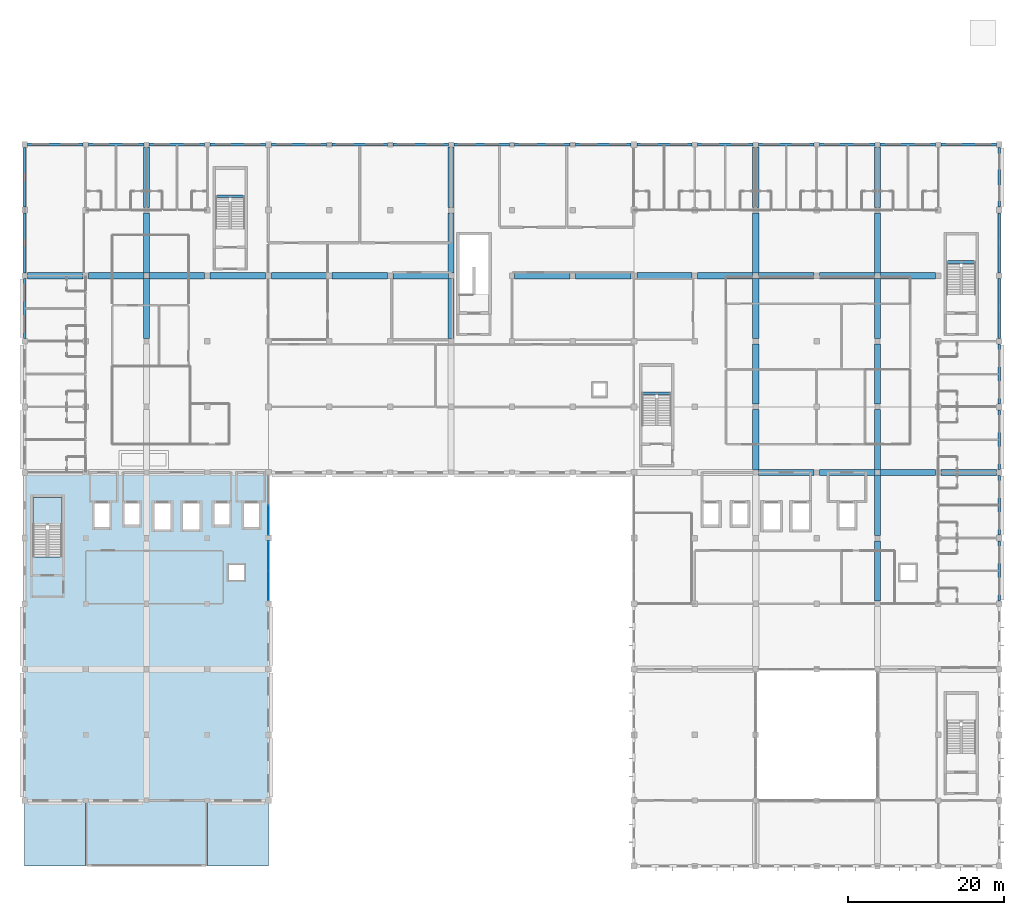
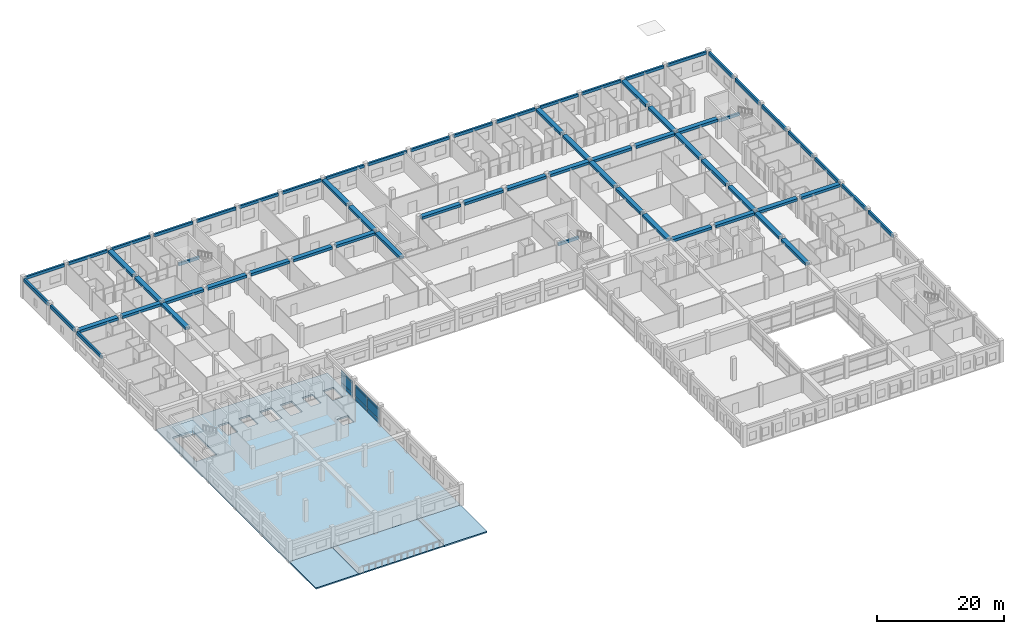
# One storey, part 24 of 53: 65 beams, 9 plates, 5 slabs, 3 elements without a shape of their own.
"""IFC4 building model written with IfcOpenShell, lengths in metres."""

from ifc_helpers import new_model, si_unit, direction, frame, origin, origin_2d, place, context, subcontext, project, spatial, polyline, rectangle, outline, extrude, material, layer, layer_set, material_profile, profile_set, type_object, element, aggregate, save


model = new_model("IFC4")

# Units and contexts
model_context = context("Model", 3, precision=1e-05, world=origin(), true_north=direction((0.0, 1.0)))
body_context = subcontext(model_context, "Body", "Model", "MODEL_VIEW")
ifc_project = project(units=[si_unit("LENGTHUNIT", "METRE"), si_unit("AREAUNIT", "SQUARE_METRE"), si_unit("VOLUMEUNIT", "CUBIC_METRE"), si_unit("PLANEANGLEUNIT", "RADIAN"), si_unit("MASSUNIT", "GRAM", prefix="KILO"), si_unit("THERMODYNAMICTEMPERATUREUNIT", "KELVIN"), si_unit("POWERUNIT", "WATT")], contexts=[model_context])

# Site, building, storey
site_placement = place(None, origin())
site = spatial("IfcSite", under=ifc_project, at=site_placement, CompositionType="ELEMENT")
building_placement = place(site_placement, origin())
building = spatial("IfcBuilding", under=site, at=building_placement, Name="Srebrne Nadtorze General Hospital", CompositionType="ELEMENT")
storey_placement = place(building_placement, frame((0.0, 0.0, 18.0)))
storey = spatial("IfcBuildingStorey", under=building, at=storey_placement, Name="L04", CompositionType="ELEMENT", Elevation=18.0)

# Beams
ifc_material_1 = material(Name="Concrete C35/45", Category="concrete")
ifc_material_profile_1 = material_profile(ifc_material_1, rectangle(XDim=0.35009765625, YDim=0.64990234375, at=origin_2d()), Name="RC-BM-350x650")
ifc_profile_set_1 = profile_set([ifc_material_profile_1], Name="Concrete C35/45")
beam_type_1 = type_object("IfcBeamType", Name="Edge beam RC 350x650", PredefinedType="BEAM", material=ifc_profile_set_1)
beam_1_placement = place(storey_placement, frame((23.39990234375, 67.574951171875, 3.56005859375), z_axis=(0.0, 1.0, 0.0), x_axis=(-1.0, 0.0, 0.0)))
element("IfcBeam", 1, at=beam_1_placement, inside=storey, type_object=beam_type_1, Name="Beam BM-L04-Y-0934", PredefinedType="BEAM", context=body_context, shape_type="SweptSolid", body=[
    extrude(rectangle(XDim=0.35009765625, YDim=0.64990234375, at=origin_2d()), origin(), (0.0, 0.0, 1.0), 7.650146484375),
])
for number, where, z_axis, x_axis, name in (
    (2, (23.39990234375, 75.97509765625, 3.56005859375), (0.0, 1.0, 0.0), (-1.0, 0.0, 0.0), "Beam BM-L04-Y-0935"),
    (3, (23.39990234375, 84.375, 3.56005859375), (0.0, 1.0, 0.0), (-1.0, 0.0, 0.0), "Beam BM-L04-Y-0936"),
    (4, (148.199951171875, 33.97509765625, 3.56005859375), (0.0, 1.0, 0.0), (-1.0, 0.0, 0.0), "Beam BM-L04-Y-0989"),
    (5, (148.199951171875, 42.375, 3.56005859375), (0.0, 1.0, 0.0), (-1.0, 0.0, 0.0), "Beam BM-L04-Y-0990"),
):
    element("IfcBeam", number, at=place(storey_placement, frame(where, z_axis=z_axis, x_axis=x_axis)), inside=storey, type_object=beam_type_1, Name=name, PredefinedType="BEAM", context=body_context, shape_type="SweptSolid", body=[
        extrude(rectangle(XDim=0.35009765625, YDim=0.64990234375, at=origin_2d()), origin(), (0.0, 0.0, 1.0), 7.64990234375),
    ])
beam_2_placement = place(storey_placement, frame((148.199951171875, 50.77490234375, 3.56005859375), z_axis=(0.0, 1.0, 0.0), x_axis=(-1.0, 0.0, 0.0)))
element("IfcBeam", 6, at=beam_2_placement, inside=storey, type_object=beam_type_1, Name="Beam BM-L04-Y-0991", PredefinedType="BEAM", context=body_context, shape_type="SweptSolid", body=[
    extrude(rectangle(XDim=0.35009765625, YDim=0.64990234375, at=origin_2d()), origin(), (0.0, 0.0, 1.0), 7.650146484375),
])
beam_3_placement = place(storey_placement, frame((148.199951171875, 59.175048828125, 3.56005859375), z_axis=(0.0, 1.0, 0.0), x_axis=(-1.0, 0.0, 0.0)))
element("IfcBeam", 7, at=beam_3_placement, inside=storey, type_object=beam_type_1, Name="Beam BM-L04-Y-0992", PredefinedType="BEAM", context=body_context, shape_type="SweptSolid", body=[
    extrude(rectangle(XDim=0.35009765625, YDim=0.64990234375, at=origin_2d()), origin(), (0.0, 0.0, 1.0), 7.64990234375),
])
beam_4_placement = place(storey_placement, frame((148.199951171875, 67.574951171875, 3.56005859375), z_axis=(0.0, 1.0, 0.0), x_axis=(-1.0, 0.0, 0.0)))
element("IfcBeam", 8, at=beam_4_placement, inside=storey, type_object=beam_type_1, Name="Beam BM-L04-Y-0993", PredefinedType="BEAM", context=body_context, shape_type="SweptSolid", body=[
    extrude(rectangle(XDim=0.35009765625, YDim=0.64990234375, at=origin_2d()), origin(), (0.0, 0.0, 1.0), 7.650146484375),
])
for number, where, z_axis, x_axis, name in (
    (9, (148.199951171875, 75.97509765625, 3.56005859375), (0.0, 1.0, 0.0), (-1.0, 0.0, 0.0), "Beam BM-L04-Y-0994"),
    (10, (148.199951171875, 84.375, 3.56005859375), (0.0, 1.0, 0.0), (-1.0, 0.0, 0.0), "Beam BM-L04-Y-0995"),
):
    element("IfcBeam", number, at=place(storey_placement, frame(where, z_axis=z_axis, x_axis=x_axis)), inside=storey, type_object=beam_type_1, Name=name, PredefinedType="BEAM", context=body_context, shape_type="SweptSolid", body=[
        extrude(rectangle(XDim=0.35009765625, YDim=0.64990234375, at=origin_2d()), origin(), (0.0, 0.0, 1.0), 7.64990234375),
    ])
ifc_material_2 = material(Name="Concrete C40/50", Category="concrete")
ifc_material_profile_2 = material_profile(ifc_material_2, rectangle(XDim=0.800048828125, YDim=0.5, at=origin_2d()), Name="RC-BM-800x500")
ifc_profile_set_2 = profile_set([ifc_material_profile_2], Name="Concrete C40/50")
beam_type_2 = type_object("IfcBeamType", Name="Primary beam RC 800x500", PredefinedType="BEAM", material=ifc_profile_set_2)
beam_5_placement = place(storey_placement, frame((117.35009765625, 50.39990234375, 3.635009765625), z_axis=(1.0, 0.0, 0.0), x_axis=(0.0, 1.0, 0.0)))
element("IfcBeam", 11, at=beam_5_placement, inside=storey, type_object=beam_type_2, Name="Beam BM-L04-X-0893", PredefinedType="BEAM", context=body_context, shape_type="SweptSolid", body=[
    extrude(rectangle(XDim=0.800048828125, YDim=0.5, at=origin_2d()), origin(), (0.0, 0.0, 1.0), 7.099853515625),
])
for number, where, z_axis, x_axis, name in (
    (12, (125.14990234375, 50.39990234375, 3.635009765625), (1.0, 0.0, 0.0), (0.0, 1.0, 0.0), "Beam BM-L04-X-0894"),
    (13, (132.949951171875, 50.39990234375, 3.635009765625), (1.0, 0.0, 0.0), (0.0, 1.0, 0.0), "Beam BM-L04-X-0895"),
):
    element("IfcBeam", number, at=place(storey_placement, frame(where, z_axis=z_axis, x_axis=x_axis)), inside=storey, type_object=beam_type_2, Name=name, PredefinedType="BEAM", context=body_context, shape_type="SweptSolid", body=[
        extrude(rectangle(XDim=0.800048828125, YDim=0.5, at=origin_2d()), origin(), (0.0, 0.0, 1.0), 7.10009765625),
    ])
beam_6_placement = place(storey_placement, frame((140.75, 50.39990234375, 3.635009765625), z_axis=(1.0, 0.0, 0.0), x_axis=(0.0, 1.0, 0.0)))
element("IfcBeam", 14, at=beam_6_placement, inside=storey, type_object=beam_type_2, Name="Beam BM-L04-X-0896", PredefinedType="BEAM", context=body_context, shape_type="SweptSolid", body=[
    extrude(rectangle(XDim=0.800048828125, YDim=0.5, at=origin_2d()), origin(), (0.0, 0.0, 1.0), 7.074951171875),
])
beam_7_placement = place(storey_placement, frame((23.77490234375, 75.60009765625, 3.635009765625), z_axis=(1.0, 0.0, 0.0), x_axis=(0.0, 1.0, 0.0)))
element("IfcBeam", 15, at=beam_7_placement, inside=storey, type_object=beam_type_2, Name="Beam BM-L04-X-0897", PredefinedType="BEAM", context=body_context, shape_type="SweptSolid", body=[
    extrude(rectangle(XDim=0.800048828125, YDim=0.5, at=origin_2d()), origin(), (0.0, 0.0, 1.0), 7.0751953125),
])
for number, where, z_axis, x_axis, name in (
    (16, (31.550048828125, 75.60009765625, 3.635009765625), (1.0, 0.0, 0.0), (0.0, 1.0, 0.0), "Beam BM-L04-X-0898"),
    (17, (39.35009765625, 75.60009765625, 3.635009765625), (1.0, 0.0, 0.0), (0.0, 1.0, 0.0), "Beam BM-L04-X-0899"),
):
    element("IfcBeam", number, at=place(storey_placement, frame(where, z_axis=z_axis, x_axis=x_axis)), inside=storey, type_object=beam_type_2, Name=name, PredefinedType="BEAM", context=body_context, shape_type="SweptSolid", body=[
        extrude(rectangle(XDim=0.800048828125, YDim=0.5, at=origin_2d()), origin(), (0.0, 0.0, 1.0), 7.099853515625),
    ])
beam_8_placement = place(storey_placement, frame((47.14990234375, 75.60009765625, 3.635009765625), z_axis=(1.0, 0.0, 0.0), x_axis=(0.0, 1.0, 0.0)))
element("IfcBeam", 18, at=beam_8_placement, inside=storey, type_object=beam_type_2, Name="Beam BM-L04-X-0900", PredefinedType="BEAM", context=body_context, shape_type="SweptSolid", body=[
    extrude(rectangle(XDim=0.800048828125, YDim=0.5, at=origin_2d()), origin(), (0.0, 0.0, 1.0), 7.0751953125),
])
beam_9_placement = place(storey_placement, frame((54.97509765625, 75.60009765625, 3.635009765625), z_axis=(1.0, 0.0, 0.0), x_axis=(0.0, 1.0, 0.0)))
element("IfcBeam", 19, at=beam_9_placement, inside=storey, type_object=beam_type_2, Name="Beam BM-L04-X-0901", PredefinedType="BEAM", context=body_context, shape_type="SweptSolid", body=[
    extrude(rectangle(XDim=0.800048828125, YDim=0.5, at=origin_2d()), origin(), (0.0, 0.0, 1.0), 7.074951171875),
])
beam_10_placement = place(storey_placement, frame((62.75, 75.60009765625, 3.635009765625), z_axis=(1.0, 0.0, 0.0), x_axis=(0.0, 1.0, 0.0)))
element("IfcBeam", 20, at=beam_10_placement, inside=storey, type_object=beam_type_2, Name="Beam BM-L04-X-0902", PredefinedType="BEAM", context=body_context, shape_type="SweptSolid", body=[
    extrude(rectangle(XDim=0.800048828125, YDim=0.5, at=origin_2d()), origin(), (0.0, 0.0, 1.0), 7.10009765625),
])
beam_11_placement = place(storey_placement, frame((70.550048828125, 75.60009765625, 3.635009765625), z_axis=(1.0, 0.0, 0.0), x_axis=(0.0, 1.0, 0.0)))
element("IfcBeam", 21, at=beam_11_placement, inside=storey, type_object=beam_type_2, Name="Beam BM-L04-X-0903", PredefinedType="BEAM", context=body_context, shape_type="SweptSolid", body=[
    extrude(rectangle(XDim=0.800048828125, YDim=0.5, at=origin_2d()), origin(), (0.0, 0.0, 1.0), 7.099853515625),
])
beam_12_placement = place(storey_placement, frame((86.14990234375, 75.60009765625, 3.635009765625), z_axis=(1.0, 0.0, 0.0), x_axis=(0.0, 1.0, 0.0)))
element("IfcBeam", 22, at=beam_12_placement, inside=storey, type_object=beam_type_2, Name="Beam BM-L04-X-0904", PredefinedType="BEAM", context=body_context, shape_type="SweptSolid", body=[
    extrude(rectangle(XDim=0.800048828125, YDim=0.5, at=origin_2d()), origin(), (0.0, 0.0, 1.0), 7.10009765625),
])
beam_13_placement = place(storey_placement, frame((93.949951171875, 75.60009765625, 3.635009765625), z_axis=(1.0, 0.0, 0.0), x_axis=(0.0, 1.0, 0.0)))
element("IfcBeam", 23, at=beam_13_placement, inside=storey, type_object=beam_type_2, Name="Beam BM-L04-X-0905", PredefinedType="BEAM", context=body_context, shape_type="SweptSolid", body=[
    extrude(rectangle(XDim=0.800048828125, YDim=0.5, at=origin_2d()), origin(), (0.0, 0.0, 1.0), 7.074951171875),
])
beam_14_placement = place(storey_placement, frame((101.77490234375, 75.60009765625, 3.635009765625), z_axis=(1.0, 0.0, 0.0), x_axis=(0.0, 1.0, 0.0)))
element("IfcBeam", 24, at=beam_14_placement, inside=storey, type_object=beam_type_2, Name="Beam BM-L04-X-0906", PredefinedType="BEAM", context=body_context, shape_type="SweptSolid", body=[
    extrude(rectangle(XDim=0.800048828125, YDim=0.5, at=origin_2d()), origin(), (0.0, 0.0, 1.0), 7.0751953125),
])
for number, where, z_axis, x_axis, name in (
    (25, (109.550048828125, 75.60009765625, 3.635009765625), (1.0, 0.0, 0.0), (0.0, 1.0, 0.0), "Beam BM-L04-X-0907"),
    (26, (117.35009765625, 75.60009765625, 3.635009765625), (1.0, 0.0, 0.0), (0.0, 1.0, 0.0), "Beam BM-L04-X-0908"),
):
    element("IfcBeam", number, at=place(storey_placement, frame(where, z_axis=z_axis, x_axis=x_axis)), inside=storey, type_object=beam_type_2, Name=name, PredefinedType="BEAM", context=body_context, shape_type="SweptSolid", body=[
        extrude(rectangle(XDim=0.800048828125, YDim=0.5, at=origin_2d()), origin(), (0.0, 0.0, 1.0), 7.099853515625),
    ])
for number, where, z_axis, x_axis, name in (
    (27, (125.14990234375, 75.60009765625, 3.635009765625), (1.0, 0.0, 0.0), (0.0, 1.0, 0.0), "Beam BM-L04-X-0909"),
    (28, (132.949951171875, 75.60009765625, 3.635009765625), (1.0, 0.0, 0.0), (0.0, 1.0, 0.0), "Beam BM-L04-X-0910"),
):
    element("IfcBeam", number, at=place(storey_placement, frame(where, z_axis=z_axis, x_axis=x_axis)), inside=storey, type_object=beam_type_2, Name=name, PredefinedType="BEAM", context=body_context, shape_type="SweptSolid", body=[
        extrude(rectangle(XDim=0.800048828125, YDim=0.5, at=origin_2d()), origin(), (0.0, 0.0, 1.0), 7.10009765625),
    ])
for number, where, z_axis, x_axis, name in (
    (29, (39.0, 67.550048828125, 3.635009765625), (0.0, 1.0, 0.0), (-1.0, 0.0, 0.0), "Beam BM-L04-Y-0944"),
    (30, (39.0, 75.949951171875, 3.635009765625), (0.0, 1.0, 0.0), (-1.0, 0.0, 0.0), "Beam BM-L04-Y-0945"),
    (31, (39.0, 84.35009765625, 3.635009765625), (0.0, 1.0, 0.0), (-1.0, 0.0, 0.0), "Beam BM-L04-Y-0946"),
    (32, (78.0, 67.550048828125, 3.635009765625), (0.0, 1.0, 0.0), (-1.0, 0.0, 0.0), "Beam BM-L04-Y-0954"),
    (33, (78.0, 75.949951171875, 3.635009765625), (0.0, 1.0, 0.0), (-1.0, 0.0, 0.0), "Beam BM-L04-Y-0955"),
    (34, (78.0, 84.35009765625, 3.635009765625), (0.0, 1.0, 0.0), (-1.0, 0.0, 0.0), "Beam BM-L04-Y-0956"),
    (35, (117.0, 50.75, 3.635009765625), (0.0, 1.0, 0.0), (-1.0, 0.0, 0.0), "Beam BM-L04-Y-0969"),
):
    element("IfcBeam", number, at=place(storey_placement, frame(where, z_axis=z_axis, x_axis=x_axis)), inside=storey, type_object=beam_type_2, Name=name, PredefinedType="BEAM", context=body_context, shape_type="SweptSolid", body=[
        extrude(rectangle(XDim=0.800048828125, YDim=0.5, at=origin_2d()), origin(), (0.0, 0.0, 1.0), 7.699951171875),
    ])
beam_15_placement = place(storey_placement, frame((117.0, 59.14990234375, 3.635009765625), z_axis=(0.0, 1.0, 0.0), x_axis=(-1.0, 0.0, 0.0)))
element("IfcBeam", 36, at=beam_15_placement, inside=storey, type_object=beam_type_2, Name="Beam BM-L04-Y-0970", PredefinedType="BEAM", context=body_context, shape_type="SweptSolid", body=[
    extrude(rectangle(XDim=0.800048828125, YDim=0.5, at=origin_2d()), origin(), (0.0, 0.0, 1.0), 7.7001953125),
])
for number, where, z_axis, x_axis, name in (
    (37, (117.0, 67.550048828125, 3.635009765625), (0.0, 1.0, 0.0), (-1.0, 0.0, 0.0), "Beam BM-L04-Y-0971"),
    (38, (117.0, 75.949951171875, 3.635009765625), (0.0, 1.0, 0.0), (-1.0, 0.0, 0.0), "Beam BM-L04-Y-0972"),
    (39, (117.0, 84.35009765625, 3.635009765625), (0.0, 1.0, 0.0), (-1.0, 0.0, 0.0), "Beam BM-L04-Y-0973"),
    (40, (132.60009765625, 33.949951171875, 3.635009765625), (0.0, 1.0, 0.0), (-1.0, 0.0, 0.0), "Beam BM-L04-Y-0978"),
    (41, (132.60009765625, 42.35009765625, 3.635009765625), (0.0, 1.0, 0.0), (-1.0, 0.0, 0.0), "Beam BM-L04-Y-0979"),
    (42, (132.60009765625, 50.75, 3.635009765625), (0.0, 1.0, 0.0), (-1.0, 0.0, 0.0), "Beam BM-L04-Y-0980"),
):
    element("IfcBeam", number, at=place(storey_placement, frame(where, z_axis=z_axis, x_axis=x_axis)), inside=storey, type_object=beam_type_2, Name=name, PredefinedType="BEAM", context=body_context, shape_type="SweptSolid", body=[
        extrude(rectangle(XDim=0.800048828125, YDim=0.5, at=origin_2d()), origin(), (0.0, 0.0, 1.0), 7.699951171875),
    ])
beam_16_placement = place(storey_placement, frame((132.60009765625, 59.14990234375, 3.635009765625), z_axis=(0.0, 1.0, 0.0), x_axis=(-1.0, 0.0, 0.0)))
element("IfcBeam", 43, at=beam_16_placement, inside=storey, type_object=beam_type_2, Name="Beam BM-L04-Y-0981", PredefinedType="BEAM", context=body_context, shape_type="SweptSolid", body=[
    extrude(rectangle(XDim=0.800048828125, YDim=0.5, at=origin_2d()), origin(), (0.0, 0.0, 1.0), 7.7001953125),
])
for number, where, z_axis, x_axis, name in (
    (44, (132.60009765625, 67.550048828125, 3.635009765625), (0.0, 1.0, 0.0), (-1.0, 0.0, 0.0), "Beam BM-L04-Y-0982"),
    (45, (132.60009765625, 75.949951171875, 3.635009765625), (0.0, 1.0, 0.0), (-1.0, 0.0, 0.0), "Beam BM-L04-Y-0983"),
    (46, (132.60009765625, 84.35009765625, 3.635009765625), (0.0, 1.0, 0.0), (-1.0, 0.0, 0.0), "Beam BM-L04-Y-0984"),
):
    element("IfcBeam", number, at=place(storey_placement, frame(where, z_axis=z_axis, x_axis=x_axis)), inside=storey, type_object=beam_type_2, Name=name, PredefinedType="BEAM", context=body_context, shape_type="SweptSolid", body=[
        extrude(rectangle(XDim=0.800048828125, YDim=0.5, at=origin_2d()), origin(), (0.0, 0.0, 1.0), 7.699951171875),
    ])
ifc_material_3 = material(Name="Concrete C35/45", Category="concrete")
ifc_material_profile_3 = material_profile(ifc_material_3, rectangle(XDim=0.35009765625, YDim=0.550048828125, at=origin_2d()), Name="RC-BM-350x550")
ifc_profile_set_3 = profile_set([ifc_material_profile_3], Name="Concrete C35/45")
beam_type_3 = type_object("IfcBeamType", Name="Spandrel lintel beam RC 350x550", PredefinedType="LINTEL", material=ifc_profile_set_3)
beam_17_placement = place(storey_placement, frame((23.77490234375, 92.39990234375, 3.610107421875), z_axis=(1.0, 0.0, 0.0), x_axis=(0.0, 1.0, 0.0)))
element("IfcBeam", 47, at=beam_17_placement, inside=storey, type_object=beam_type_3, Name="Beam BM-L04-X-0911", PredefinedType="LINTEL", context=body_context, shape_type="SweptSolid", body=[
    extrude(rectangle(XDim=0.35009765625, YDim=0.550048828125, at=origin_2d()), origin(), (0.0, 0.0, 1.0), 7.0751953125),
])
for number, where, z_axis, x_axis, name in (
    (48, (31.550048828125, 92.39990234375, 3.610107421875), (1.0, 0.0, 0.0), (0.0, 1.0, 0.0), "Beam BM-L04-X-0912"),
    (49, (39.35009765625, 92.39990234375, 3.610107421875), (1.0, 0.0, 0.0), (0.0, 1.0, 0.0), "Beam BM-L04-X-0913"),
):
    element("IfcBeam", number, at=place(storey_placement, frame(where, z_axis=z_axis, x_axis=x_axis)), inside=storey, type_object=beam_type_3, Name=name, PredefinedType="LINTEL", context=body_context, shape_type="SweptSolid", body=[
        extrude(rectangle(XDim=0.35009765625, YDim=0.550048828125, at=origin_2d()), origin(), (0.0, 0.0, 1.0), 7.099853515625),
    ])
beam_18_placement = place(storey_placement, frame((47.14990234375, 92.39990234375, 3.610107421875), z_axis=(1.0, 0.0, 0.0), x_axis=(0.0, 1.0, 0.0)))
element("IfcBeam", 50, at=beam_18_placement, inside=storey, type_object=beam_type_3, Name="Beam BM-L04-X-0914", PredefinedType="LINTEL", context=body_context, shape_type="SweptSolid", body=[
    extrude(rectangle(XDim=0.35009765625, YDim=0.550048828125, at=origin_2d()), origin(), (0.0, 0.0, 1.0), 7.0751953125),
])
beam_19_placement = place(storey_placement, frame((54.97509765625, 92.39990234375, 3.610107421875), z_axis=(1.0, 0.0, 0.0), x_axis=(0.0, 1.0, 0.0)))
element("IfcBeam", 51, at=beam_19_placement, inside=storey, type_object=beam_type_3, Name="Beam BM-L04-X-0915", PredefinedType="LINTEL", context=body_context, shape_type="SweptSolid", body=[
    extrude(rectangle(XDim=0.35009765625, YDim=0.550048828125, at=origin_2d()), origin(), (0.0, 0.0, 1.0), 7.074951171875),
])
beam_20_placement = place(storey_placement, frame((62.75, 92.39990234375, 3.610107421875), z_axis=(1.0, 0.0, 0.0), x_axis=(0.0, 1.0, 0.0)))
element("IfcBeam", 52, at=beam_20_placement, inside=storey, type_object=beam_type_3, Name="Beam BM-L04-X-0916", PredefinedType="LINTEL", context=body_context, shape_type="SweptSolid", body=[
    extrude(rectangle(XDim=0.35009765625, YDim=0.550048828125, at=origin_2d()), origin(), (0.0, 0.0, 1.0), 7.10009765625),
])
for number, where, z_axis, x_axis, name in (
    (53, (70.550048828125, 92.39990234375, 3.610107421875), (1.0, 0.0, 0.0), (0.0, 1.0, 0.0), "Beam BM-L04-X-0917"),
    (54, (78.35009765625, 92.39990234375, 3.610107421875), (1.0, 0.0, 0.0), (0.0, 1.0, 0.0), "Beam BM-L04-X-0918"),
):
    element("IfcBeam", number, at=place(storey_placement, frame(where, z_axis=z_axis, x_axis=x_axis)), inside=storey, type_object=beam_type_3, Name=name, PredefinedType="LINTEL", context=body_context, shape_type="SweptSolid", body=[
        extrude(rectangle(XDim=0.35009765625, YDim=0.550048828125, at=origin_2d()), origin(), (0.0, 0.0, 1.0), 7.099853515625),
    ])
beam_21_placement = place(storey_placement, frame((86.14990234375, 92.39990234375, 3.610107421875), z_axis=(1.0, 0.0, 0.0), x_axis=(0.0, 1.0, 0.0)))
element("IfcBeam", 55, at=beam_21_placement, inside=storey, type_object=beam_type_3, Name="Beam BM-L04-X-0919", PredefinedType="LINTEL", context=body_context, shape_type="SweptSolid", body=[
    extrude(rectangle(XDim=0.35009765625, YDim=0.550048828125, at=origin_2d()), origin(), (0.0, 0.0, 1.0), 7.10009765625),
])
beam_22_placement = place(storey_placement, frame((93.949951171875, 92.39990234375, 3.610107421875), z_axis=(1.0, 0.0, 0.0), x_axis=(0.0, 1.0, 0.0)))
element("IfcBeam", 56, at=beam_22_placement, inside=storey, type_object=beam_type_3, Name="Beam BM-L04-X-0920", PredefinedType="LINTEL", context=body_context, shape_type="SweptSolid", body=[
    extrude(rectangle(XDim=0.35009765625, YDim=0.550048828125, at=origin_2d()), origin(), (0.0, 0.0, 1.0), 7.074951171875),
])
beam_23_placement = place(storey_placement, frame((101.77490234375, 92.39990234375, 3.610107421875), z_axis=(1.0, 0.0, 0.0), x_axis=(0.0, 1.0, 0.0)))
element("IfcBeam", 57, at=beam_23_placement, inside=storey, type_object=beam_type_3, Name="Beam BM-L04-X-0921", PredefinedType="LINTEL", context=body_context, shape_type="SweptSolid", body=[
    extrude(rectangle(XDim=0.35009765625, YDim=0.550048828125, at=origin_2d()), origin(), (0.0, 0.0, 1.0), 7.0751953125),
])
for number, where, z_axis, x_axis, name in (
    (58, (109.550048828125, 92.39990234375, 3.610107421875), (1.0, 0.0, 0.0), (0.0, 1.0, 0.0), "Beam BM-L04-X-0922"),
    (59, (117.35009765625, 92.39990234375, 3.610107421875), (1.0, 0.0, 0.0), (0.0, 1.0, 0.0), "Beam BM-L04-X-0923"),
):
    element("IfcBeam", number, at=place(storey_placement, frame(where, z_axis=z_axis, x_axis=x_axis)), inside=storey, type_object=beam_type_3, Name=name, PredefinedType="LINTEL", context=body_context, shape_type="SweptSolid", body=[
        extrude(rectangle(XDim=0.35009765625, YDim=0.550048828125, at=origin_2d()), origin(), (0.0, 0.0, 1.0), 7.099853515625),
    ])
for number, where, z_axis, x_axis, name in (
    (60, (125.14990234375, 92.39990234375, 3.610107421875), (1.0, 0.0, 0.0), (0.0, 1.0, 0.0), "Beam BM-L04-X-0924"),
    (61, (132.949951171875, 92.39990234375, 3.610107421875), (1.0, 0.0, 0.0), (0.0, 1.0, 0.0), "Beam BM-L04-X-0925"),
):
    element("IfcBeam", number, at=place(storey_placement, frame(where, z_axis=z_axis, x_axis=x_axis)), inside=storey, type_object=beam_type_3, Name=name, PredefinedType="LINTEL", context=body_context, shape_type="SweptSolid", body=[
        extrude(rectangle(XDim=0.35009765625, YDim=0.550048828125, at=origin_2d()), origin(), (0.0, 0.0, 1.0), 7.10009765625),
    ])
beam_24_placement = place(storey_placement, frame((140.75, 92.39990234375, 3.610107421875), z_axis=(1.0, 0.0, 0.0), x_axis=(0.0, 1.0, 0.0)))
element("IfcBeam", 62, at=beam_24_placement, inside=storey, type_object=beam_type_3, Name="Beam BM-L04-X-0926", PredefinedType="LINTEL", context=body_context, shape_type="SweptSolid", body=[
    extrude(rectangle(XDim=0.35009765625, YDim=0.550048828125, at=origin_2d()), origin(), (0.0, 0.0, 1.0), 7.074951171875),
])
for number, where, z_axis, x_axis, name in (
    (63, (47.85009765625, 85.760009765625, 1.824951171875), (1.0, 0.0, 0.0), (0.0, 1.0, 0.0), "Stair landing header beam ST-02 L04"),
    (64, (102.449951171875, 60.56005859375, 1.824951171875), (1.0, 0.0, 0.0), (0.0, 1.0, 0.0), "Stair landing header beam ST-03 L04"),
    (65, (141.449951171875, 77.360107421875, 1.824951171875), (1.0, 0.0, 0.0), (0.0, 1.0, 0.0), "Stair landing header beam ST-04 L04"),
):
    element("IfcBeam", number, at=place(storey_placement, frame(where, z_axis=z_axis, x_axis=x_axis)), inside=storey, type_object=beam_type_3, Name=name, PredefinedType="LINTEL", context=body_context, shape_type="SweptSolid", body=[
        extrude(rectangle(XDim=0.35009765625, YDim=0.550048828125, at=origin_2d()), origin(), (0.0, 0.0, 1.0), 3.75),
    ])

# Curtain wall, plates
ifc_material_4 = material(Name="Anodised Aluminium", Category="aluminium")
curtain_wall_type = type_object("IfcCurtainWallType", Name="Unitised curtain wall 7650x3235", PredefinedType="NOTDEFINED", material=ifc_material_4)
curtain_wall_1_placement = place(storey_placement, origin())
curtain_wall_1 = element("IfcCurtainWall", 66, at=curtain_wall_1_placement, inside=storey, type_object=curtain_wall_type, Name="Curtain wall CW-106", PredefinedType="NOTDEFINED")
ifc_material_5 = material(Name="Triple Low-E Glazing", Category="glass")
ifc_layer_1 = layer(ifc_material_5, 0.050048828125)
ifc_layer_set_1 = layer_set([ifc_layer_1], Name="Triple Low-E Glazing")
plate_type = type_object("IfcPlateType", Name="Glazed curtain panel 50", PredefinedType="CURTAIN_PANEL", material=ifc_layer_set_1)
plate_1_placement = place(storey_placement, frame((54.60009765625, 35.902587890625, 0.06005859375), z_axis=(0.0, 0.0, 1.0), x_axis=(0.0, 1.0, 0.0)))
plate_1 = element("IfcPlate", 67, at=plate_1_placement, type_object=plate_type, Name="CW-106 panel 1.1", PredefinedType="CURTAIN_PANEL", context=body_context, shape_type="SweptSolid", body=[
    extrude(rectangle(XDim=3.735107421875, YDim=0.050048828125, at=origin_2d()), origin(), (0.0, 0.0, 1.0), 0.760009765625),
])
plate_2_placement = place(storey_placement, frame((54.60009765625, 35.902587890625, 0.8798828125), z_axis=(0.0, 0.0, 1.0), x_axis=(0.0, 1.0, 0.0)))
plate_2 = element("IfcPlate", 68, at=plate_2_placement, type_object=plate_type, Name="CW-106 panel 1.2", PredefinedType="CURTAIN_PANEL", context=body_context, shape_type="SweptSolid", body=[
    extrude(rectangle(XDim=3.735107421875, YDim=0.050048828125, at=origin_2d()), origin(), (0.0, 0.0, 1.0), 1.824951171875),
])
plate_3_placement = place(storey_placement, frame((54.60009765625, 35.902587890625, 2.76513671875), z_axis=(0.0, 0.0, 1.0), x_axis=(0.0, 1.0, 0.0)))
plate_3 = element("IfcPlate", 69, at=plate_3_placement, type_object=plate_type, Name="CW-106 panel 1.3", PredefinedType="CURTAIN_PANEL", context=body_context, shape_type="SweptSolid", body=[
    extrude(rectangle(XDim=3.735107421875, YDim=0.050048828125, at=origin_2d()), origin(), (0.0, 0.0, 1.0), 0.409912109375),
])
plate_4_placement = place(storey_placement, frame((54.60009765625, 39.697509765625, 0.06005859375), z_axis=(0.0, 0.0, 1.0), x_axis=(0.0, 1.0, 0.0)))
plate_4 = element("IfcPlate", 70, at=plate_4_placement, type_object=plate_type, Name="CW-106 panel 2.1", PredefinedType="CURTAIN_PANEL", context=body_context, shape_type="SweptSolid", body=[
    extrude(rectangle(XDim=3.735107421875, YDim=0.050048828125, at=origin_2d()), origin(), (0.0, 0.0, 1.0), 0.760009765625),
])
plate_5_placement = place(storey_placement, frame((54.60009765625, 39.697509765625, 0.8798828125), z_axis=(0.0, 0.0, 1.0), x_axis=(0.0, 1.0, 0.0)))
plate_5 = element("IfcPlate", 71, at=plate_5_placement, type_object=plate_type, Name="CW-106 panel 2.2", PredefinedType="CURTAIN_PANEL", context=body_context, shape_type="SweptSolid", body=[
    extrude(rectangle(XDim=3.735107421875, YDim=0.050048828125, at=origin_2d()), origin(), (0.0, 0.0, 1.0), 1.824951171875),
])
plate_6_placement = place(storey_placement, frame((54.60009765625, 39.697509765625, 2.76513671875), z_axis=(0.0, 0.0, 1.0), x_axis=(0.0, 1.0, 0.0)))
plate_6 = element("IfcPlate", 72, at=plate_6_placement, type_object=plate_type, Name="CW-106 panel 2.3", PredefinedType="CURTAIN_PANEL", context=body_context, shape_type="SweptSolid", body=[
    extrude(rectangle(XDim=3.735107421875, YDim=0.050048828125, at=origin_2d()), origin(), (0.0, 0.0, 1.0), 0.409912109375),
])
aggregate(curtain_wall_1, [plate_1, plate_2, plate_3, plate_4, plate_5, plate_6])

curtain_wall_2_placement = place(storey_placement, origin())
curtain_wall_2 = element("IfcCurtainWall", 73, at=curtain_wall_2_placement, inside=storey, type_object=curtain_wall_type, Name="Curtain wall CW-107", PredefinedType="NOTDEFINED")
plate_7_placement = place(storey_placement, frame((54.60009765625, 44.3037109375, 0.06494140625), z_axis=(0.0, 0.0, 1.0), x_axis=(0.0, 1.0, 0.0)))
plate_7 = element("IfcPlate", 74, at=plate_7_placement, type_object=plate_type, Name="CW-107 panel 1.1", PredefinedType="CURTAIN_PANEL", context=body_context, shape_type="SweptSolid", body=[
    extrude(rectangle(XDim=3.7275390625, YDim=0.050048828125, at=origin_2d()), origin(), (0.0, 0.0, 1.0), 0.75244140625),
])
plate_8_placement = place(storey_placement, frame((54.60009765625, 44.3037109375, 0.88232421875), z_axis=(0.0, 0.0, 1.0), x_axis=(0.0, 1.0, 0.0)))
plate_8 = element("IfcPlate", 75, at=plate_8_placement, type_object=plate_type, Name="CW-107 panel 1.2", PredefinedType="CURTAIN_PANEL", context=body_context, shape_type="SweptSolid", body=[
    extrude(rectangle(XDim=3.7275390625, YDim=0.050048828125, at=origin_2d()), origin(), (0.0, 0.0, 1.0), 1.820068359375),
])
plate_9_placement = place(storey_placement, frame((54.60009765625, 44.3037109375, 2.767578125), z_axis=(0.0, 0.0, 1.0), x_axis=(0.0, 1.0, 0.0)))
plate_9 = element("IfcPlate", 76, at=plate_9_placement, type_object=plate_type, Name="CW-107 panel 1.3", PredefinedType="CURTAIN_PANEL", context=body_context, shape_type="SweptSolid", body=[
    extrude(rectangle(XDim=3.7275390625, YDim=0.050048828125, at=origin_2d()), origin(), (0.0, 0.0, 1.0), 0.402587890625),
])
aggregate(curtain_wall_2, [plate_7, plate_8, plate_9])

# Slabs
ifc_material_6 = material(Name="Concrete C35/45", Category="concrete")
ifc_layer_2 = layer(ifc_material_6, 0.27001953125)
ifc_layer_set_2 = layer_set([ifc_layer_2], Name="Concrete C35/45")
slab_type_1 = type_object("IfcSlabType", Name="Main roof slab 270", PredefinedType="ROOF", material=ifc_layer_set_2)
slab_1_placement = place(storey_placement, frame((0.0, 0.0, -0.27001953125)))
element("IfcSlab", 77, at=slab_1_placement, inside=storey, type_object=slab_type_1, Name="Volume ceiling roof slab RF-L03-01", PredefinedType="ROOF", context=body_context, shape_type="SweptSolid", body=[
    extrude(outline(polyline([(54.60009765625, 0.0), (54.60009765625, 8.39990234375), (46.800048828125, 8.39990234375), (46.800048828125, 0.0), (54.60009765625, 0.0)])), origin(), (0.0, 0.0, 1.0), 0.27001953125),
])
slab_2_placement = place(storey_placement, frame((0.0, 0.0, -0.27001953125)))
element("IfcSlab", 78, at=slab_2_placement, inside=storey, type_object=slab_type_1, Name="Volume ceiling roof slab RF-L03-02", PredefinedType="ROOF", context=body_context, shape_type="SweptSolid", body=[
    extrude(outline(polyline([(31.199951171875, 0.0), (31.199951171875, 8.39990234375), (23.39990234375, 8.39990234375), (23.39990234375, 0.0), (31.199951171875, 0.0)])), origin(), (0.0, 0.0, 1.0), 0.27001953125),
])

# Stair, slab
ifc_material_7 = material(Name="Concrete C35/45", Category="concrete")
stair_type = type_object("IfcStairType", Name="Dog-leg escape stair 420", PredefinedType="HALF_TURN_STAIR", material=ifc_material_7)
stair_placement = place(storey_placement, origin())
stair = element("IfcStair", 79, at=stair_placement, inside=storey, type_object=stair_type, Name="Escape stair ST-01-L04", PredefinedType="HALF_TURN_STAIR")
ifc_material_8 = material(Name="Concrete C35/45", Category="concrete")
ifc_layer_3 = layer(ifc_material_8, 0.219970703125)
ifc_layer_set_3 = layer_set([ifc_layer_3], Name="Concrete C35/45")
slab_type_2 = type_object("IfcSlabType", Name="Stair landing slab 220", PredefinedType="LANDING", material=ifc_layer_set_3)
slab_3_placement = place(storey_placement, frame((0.0, 0.0, 1.8798828125)))
slab_3 = element("IfcSlab", 80, at=slab_3_placement, type_object=slab_type_2, Name="ST-01 landing 1", PredefinedType="LANDING", context=body_context, shape_type="SweptSolid", body=[
    extrude(outline(polyline([(24.449951171875, 43.760009765625), (28.199951171875, 43.760009765625), (28.199951171875, 47.199951171875), (24.449951171875, 47.199951171875), (24.449951171875, 43.760009765625)])), origin(), (0.0, 0.0, 1.0), 0.22021484375),
])
aggregate(stair, [slab_3])

# Slabs
ifc_material_9 = material(Name="Concrete C35/45", Category="concrete")
ifc_layer_4 = layer(ifc_material_9, 0.330078125)
ifc_layer_set_4 = layer_set([ifc_layer_4], Name="Concrete C35/45")
slab_type_3 = type_object("IfcSlabType", Name="Suspended floor slab 330", PredefinedType="FLOOR", material=ifc_layer_set_4)
slab_4_placement = place(storey_placement, frame((0.0, 0.0, -0.330078125)))
element("IfcSlab", 81, at=slab_4_placement, inside=storey, type_object=slab_type_3, Name="Suspended floor slab SL-L04-WS", PredefinedType="FLOOR", context=body_context, shape_type="SweptSolid", body=[
    extrude(outline(polyline([(54.60009765625, 8.39990234375), (54.60009765625, 50.39990234375), (23.39990234375, 50.39990234375), (23.39990234375, 8.39990234375), (54.60009765625, 8.39990234375)]), holes=[polyline([(51.5, 36.60009765625), (49.5, 36.60009765625), (49.5, 38.60009765625), (51.5, 38.60009765625), (51.5, 36.60009765625)]), polyline([(28.199951171875, 39.60498046875), (24.449951171875, 39.60498046875), (24.449951171875, 47.199951171875), (28.199951171875, 47.199951171875), (28.199951171875, 39.60498046875)]), polyline([(42.10009765625, 43.110107421875), (40.0, 43.110107421875), (40.0, 46.4599609375), (42.10009765625, 46.4599609375), (42.10009765625, 43.110107421875)]), polyline([(43.699951171875, 43.110107421875), (43.699951171875, 46.4599609375), (45.800048828125, 46.4599609375), (45.800048828125, 43.110107421875), (43.699951171875, 43.110107421875)]), polyline([(32.35009765625, 43.409912109375), (32.35009765625, 46.4599609375), (34.25, 46.4599609375), (34.25, 43.409912109375), (32.35009765625, 43.409912109375)]), polyline([(53.39990234375, 43.409912109375), (51.5, 43.409912109375), (51.5, 46.4599609375), (53.39990234375, 46.4599609375), (53.39990234375, 43.409912109375)]), polyline([(38.10009765625, 43.7099609375), (36.199951171875, 43.7099609375), (36.199951171875, 46.4599609375), (38.10009765625, 46.4599609375), (38.10009765625, 43.7099609375)]), polyline([(49.60009765625, 43.7099609375), (47.699951171875, 43.7099609375), (47.699951171875, 46.4599609375), (49.60009765625, 46.4599609375), (49.60009765625, 43.7099609375)])]), origin(), (0.0, 0.0, 1.0), 0.330078125),
])
ifc_material_10 = material(Name="Concrete C35/45", Category="concrete")
ifc_layer_5 = layer(ifc_material_10, 0.22998046875)
ifc_layer_set_5 = layer_set([ifc_layer_5], Name="Concrete C35/45")
slab_type_4 = type_object("IfcSlabType", Name="Terrace slab 230", PredefinedType="FLOOR", material=ifc_layer_set_5)
slab_5_placement = place(storey_placement, frame((0.0, 0.0, -0.22998046875)))
element("IfcSlab", 82, at=slab_5_placement, inside=storey, type_object=slab_type_4, Name="Therapeutic Terrace slab TR-L04-SW", PredefinedType="FLOOR", context=body_context, shape_type="SweptSolid", body=[
    extrude(outline(polyline([(31.199951171875, 0.0), (46.800048828125, 0.0), (46.800048828125, 8.39990234375), (31.199951171875, 8.39990234375), (31.199951171875, 0.0)])), origin(), (0.0, 0.0, 1.0), 0.22998046875),
])

save(model, "model.ifc")
